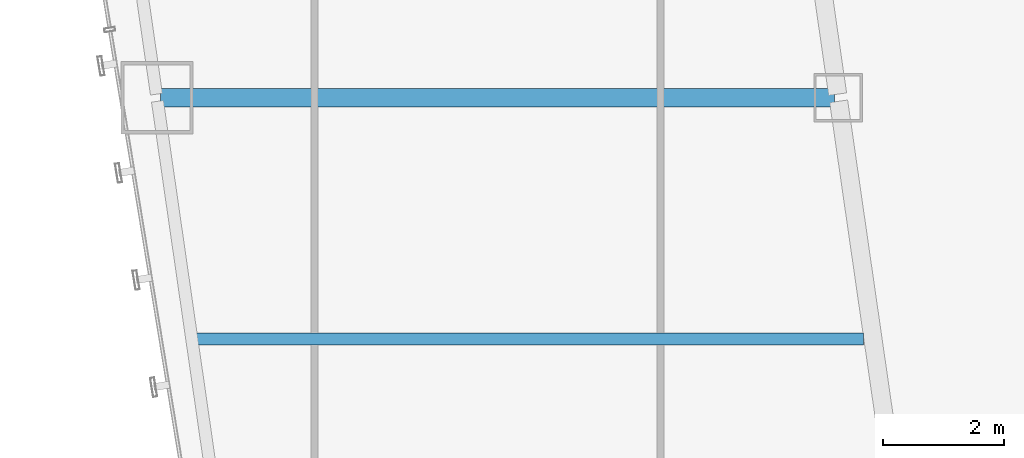
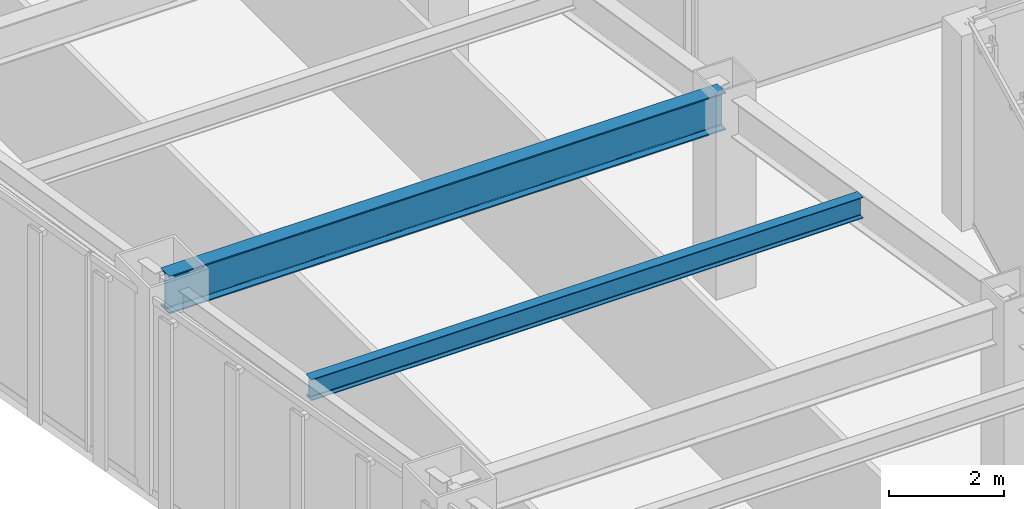
# One storey, part 6 of 47: 2 beams.
"""IFC4 building model written with IfcOpenShell, lengths in metres."""

from ifc_helpers import new_model, si_unit, direction, frame, origin, origin_2d, place, context, subcontext, project, spatial, i_section, extrude, material, material_profile, profile_set, type_object, element, save


model = new_model("IFC4")

# Units and contexts
model_context = context("Model", 3, precision=1e-05, world=origin(), true_north=direction((0.0, 1.0)))
body_context = subcontext(model_context, "Body", "Model", "MODEL_VIEW")
ifc_project = project(units=[si_unit("LENGTHUNIT", "METRE"), si_unit("AREAUNIT", "SQUARE_METRE"), si_unit("VOLUMEUNIT", "CUBIC_METRE"), si_unit("PLANEANGLEUNIT", "RADIAN"), si_unit("MASSUNIT", "GRAM", prefix="KILO")], contexts=[model_context])

# Site, building, storey
site_placement = place(None, origin())
site = spatial("IfcSite", under=ifc_project, at=site_placement, CompositionType="ELEMENT")
building_placement = place(site_placement, origin())
building = spatial("IfcBuilding", under=site, at=building_placement, Name="Saevonmaru Cultural Tower", CompositionType="ELEMENT")
storey_placement = place(building_placement, frame((0.0, 0.0, 69.199951171875)))
storey = spatial("IfcBuildingStorey", under=building, at=storey_placement, Name="L14", CompositionType="ELEMENT", Elevation=69.199951171875)

# Beams
ifc_material_1 = material(Name="Steel SM420", Category="steel")
ifc_material_profile_1 = material_profile(ifc_material_1, i_section(OverallWidth=0.300048828125, OverallDepth=0.800048828125, WebThickness=0.013916015625, FlangeThickness=0.02587890625, FilletRadius=0.028076171875, at=origin_2d()), Name="H-800x300x14x26")
ifc_profile_set_1 = profile_set([ifc_material_profile_1], Name="Steel SM420")
beam_type_1 = type_object("IfcBeamType", Name="BM-G-H800", PredefinedType="BEAM", material=ifc_profile_set_1)
beam_1_placement = place(storey_placement, frame((10.68798828125, 16.0, 3.75), z_axis=(1.0, 0.0, 0.0), x_axis=(0.0, 1.0, 0.0)))
element("IfcBeam", 1, at=beam_1_placement, inside=storey, type_object=beam_type_1, Name="L14 West Wing Transverse Girder 3", PredefinedType="BEAM", context=body_context, shape_type="SweptSolid", body=[
    extrude(i_section(OverallWidth=0.300048828125, OverallDepth=0.800048828125, WebThickness=0.013916015625, FlangeThickness=0.02587890625, FilletRadius=0.028076171875, at=origin_2d()), origin(), (0.0, 0.0, 1.0), 11.179931640625),
])
ifc_material_2 = material(Name="Steel SM355", Category="steel")
ifc_material_profile_2 = material_profile(ifc_material_2, i_section(OverallWidth=0.199951171875, OverallDepth=0.449951171875, WebThickness=0.009033203125, FlangeThickness=0.013916015625, FilletRadius=0.01806640625, at=origin_2d()), Name="H-450x200x9x14")
ifc_profile_set_2 = profile_set([ifc_material_profile_2], Name="Steel SM355")
beam_type_2 = type_object("IfcBeamType", Name="BM-J-H450", PredefinedType="JOIST", material=ifc_profile_set_2)
beam_2_placement = place(storey_placement, frame((11.265380859375, 12.0, 3.925048828125), z_axis=(1.0, 0.0, 0.0), x_axis=(0.0, 1.0, 0.0)))
element("IfcBeam", 2, at=beam_2_placement, inside=storey, type_object=beam_type_2, Name="L14 West Wing Floor Joist 2", PredefinedType="JOIST", context=body_context, shape_type="SweptSolid", body=[
    extrude(i_section(OverallWidth=0.199951171875, OverallDepth=0.449951171875, WebThickness=0.009033203125, FlangeThickness=0.013916015625, FilletRadius=0.01806640625, at=origin_2d()), origin(), (0.0, 0.0, 1.0), 11.08203125),
])

save(model, "model.ifc")
